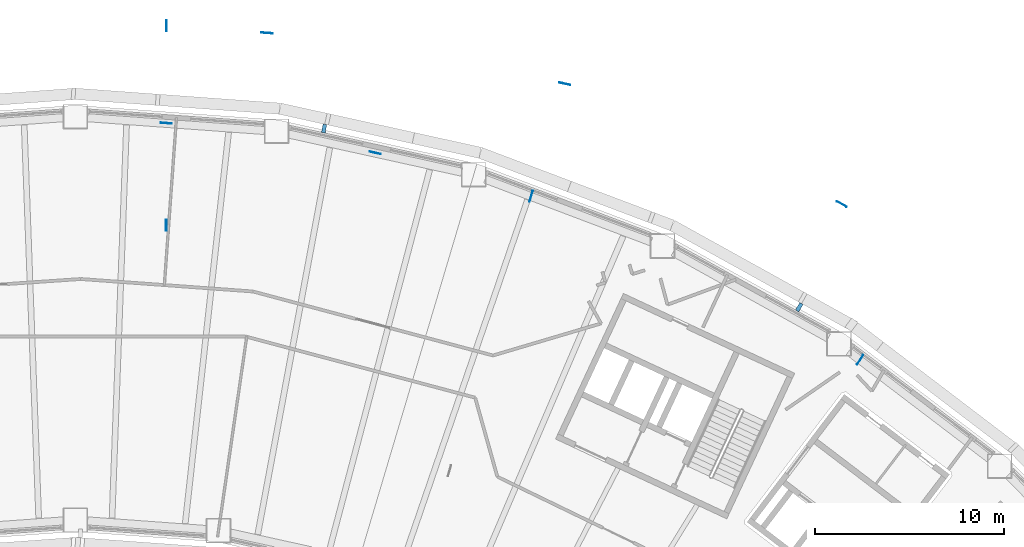
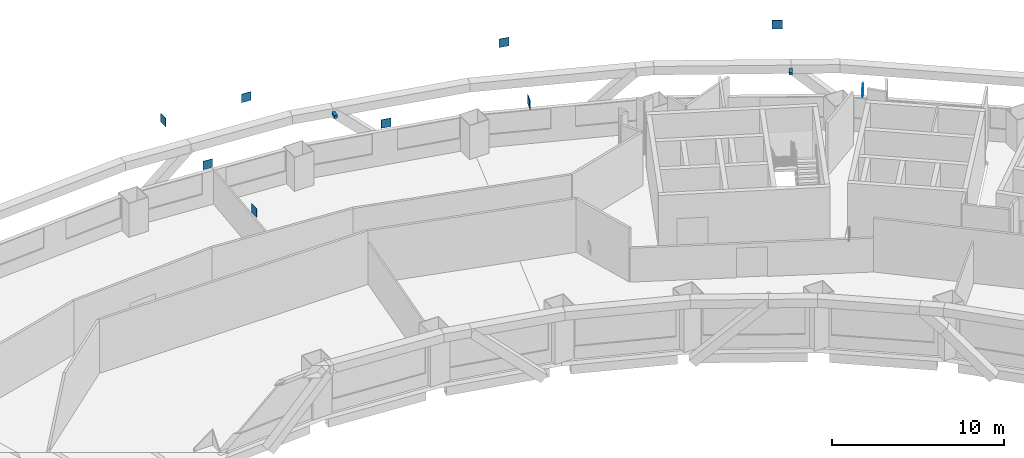
# One storey, part 14 of 19: 11 discrete accessories.
"""IFC4 building model written with IfcOpenShell, lengths in metres."""

from ifc_helpers import new_model, si_unit, direction, frame, origin, origin_2d, place, context, subcontext, project, spatial, rectangle, extrude, material, type_object, element, save


model = new_model("IFC4")

# Units and contexts
model_context = context("Model", 3, precision=1e-05, world=origin(), true_north=direction((0.0, 1.0)))
body_context = subcontext(model_context, "Body", "Model", "MODEL_VIEW")
ifc_project = project(units=[si_unit("LENGTHUNIT", "METRE"), si_unit("AREAUNIT", "SQUARE_METRE"), si_unit("VOLUMEUNIT", "CUBIC_METRE"), si_unit("PLANEANGLEUNIT", "RADIAN"), si_unit("MASSUNIT", "GRAM", prefix="KILO")], contexts=[model_context])

# Site, building, storey
site_placement = place(None, origin())
site = spatial("IfcSite", under=ifc_project, at=site_placement, CompositionType="ELEMENT")
building_placement = place(site_placement, origin())
building = spatial("IfcBuilding", under=site, at=building_placement, Name="Tuul Gate Civic Tower", CompositionType="ELEMENT")
storey_placement = place(building_placement, frame((0.0, 0.0, 56.699951171875)))
storey = spatial("IfcBuildingStorey", under=building, at=storey_placement, Name="Level 12", CompositionType="ELEMENT", Elevation=56.699951171875)

# Discrete accessories
ifc_material_1 = material(Name="Steel S355", Category="steel")
discrete_accessory_type_1 = type_object("IfcDiscreteAccessoryType", Name="Gusset plate", PredefinedType="BRACKET", material=ifc_material_1)
for number, where, z_axis, x_axis, name in (
    (1, (41.516357421875, 1.0263671875, 2.796142578125), (0.0, 0.0, 1.0), (0.54674333885, 0.837300257627, 0.0), "Gusset plate"),
    (2, (4.809814453125, 18.708984375, 2.796630859375), (0.0, 0.0, 1.0), (0.0, -1.0, 0.0), "Gusset plate"),
    (3, (4.80810546875, 8.150146484375, 2.796875), (0.0, 0.0, 1.0), (0.0, 1.0, 0.0), "Gusset plate"),
    (4, (24.112548828125, 9.68115234375, 2.797119140625), (0.0, 0.0, 1.0), (0.285224909945, 0.958460615126, 0.0), "Gusset plate"),
    (5, (15.863037109375, 11.97802734375, 2.796630859375), (0.0, 0.0, 1.0), (0.97656894253, -0.215204787319, 0.0), "Gusset plate"),
    (6, (10.133056640625, 18.321044921875, 2.796630859375), (0.0, 0.0, 1.0), (0.997383034413, -0.072298566141, 0.0), "Gusset plate"),
    (7, (40.54150390625, 9.2724609375, 2.796630859375), (0.0, 0.0, 1.0), (0.874607488421, -0.484831662743, 0.0), "Gusset plate"),
    (8, (25.885009765625, 15.63720703125, 2.796630859375), (0.0, 0.0, 1.0), (-0.976564607871, 0.215224456448, 0.0), "Gusset plate"),
    (9, (4.807861328125, 13.5498046875, 2.796630859375), (0.0, 0.0, 1.0), (0.997389294483, -0.072212154455, 0.0), "Gusset plate"),
):
    element("IfcDiscreteAccessory", number, at=place(storey_placement, frame(where, z_axis=z_axis, x_axis=x_axis)), inside=storey, type_object=discrete_accessory_type_1, Name=name, PredefinedType="BRACKET", context=body_context, shape_type="SweptSolid", body=[
        extrude(rectangle(XDim=0.60009765625, YDim=0.030029296875, at=origin_2d()), origin(), (0.0, 0.0, 1.0), 0.60009765625),
    ])
ifc_material_2 = material(Name="Stainless steel", Category="steel")
discrete_accessory_type_2 = type_object("IfcDiscreteAccessoryType", Name="Screen bracket", PredefinedType="BRACKET", material=ifc_material_2)
for number, where, z_axis, x_axis, name in (
    (10, (38.298828125, 3.81396484375, 3.75), (0.0, 0.0, 1.0), (0.514592185597, 0.857435060236, 0.0), "Screen bracket 5"),
    (11, (13.15966796875, 13.26513671875, 3.75), (0.0, 0.0, 1.0), (0.17682535462, 0.984242243537, 0.0), "Screen bracket 8"),
):
    element("IfcDiscreteAccessory", number, at=place(storey_placement, frame(where, z_axis=z_axis, x_axis=x_axis)), inside=storey, type_object=discrete_accessory_type_2, Name=name, PredefinedType="BRACKET", context=body_context, shape_type="SweptSolid", body=[
        extrude(rectangle(XDim=0.4501953125, YDim=0.199951171875, at=origin_2d()), origin(), (0.0, 0.0, 1.0), 0.199951171875),
    ])

save(model, "model.ifc")
